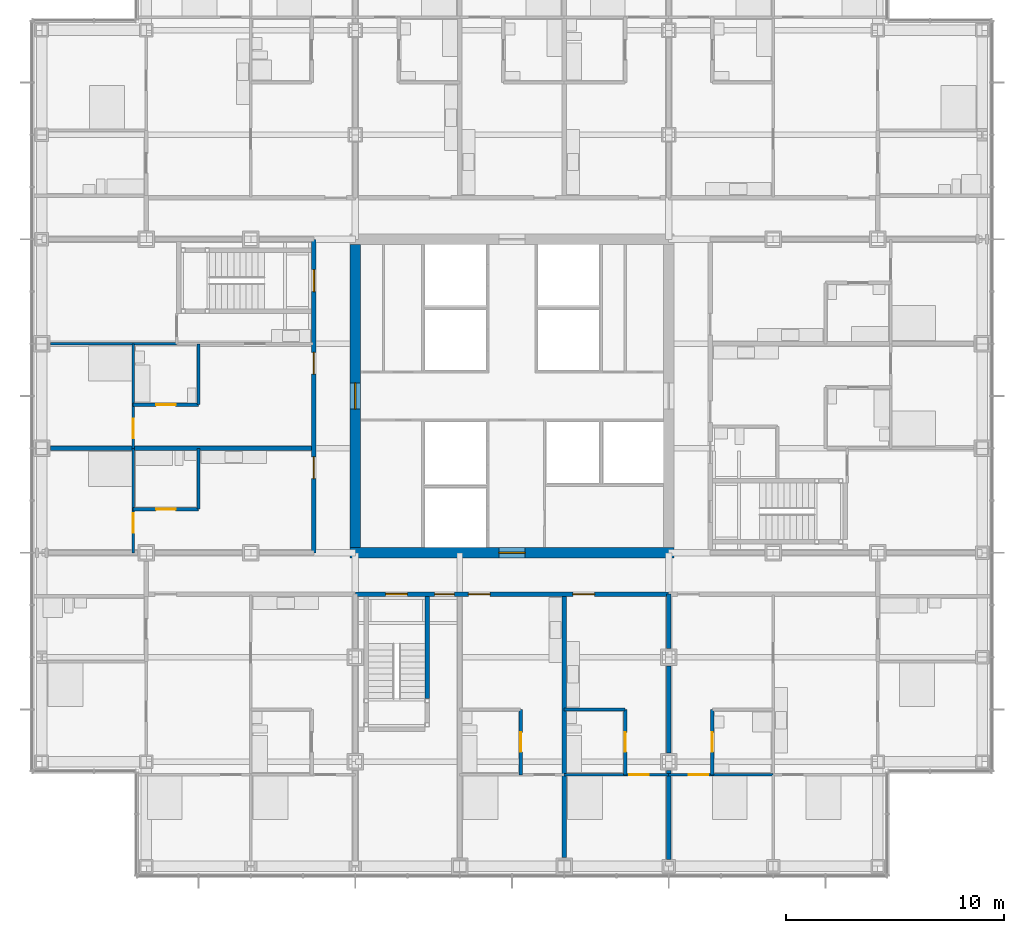
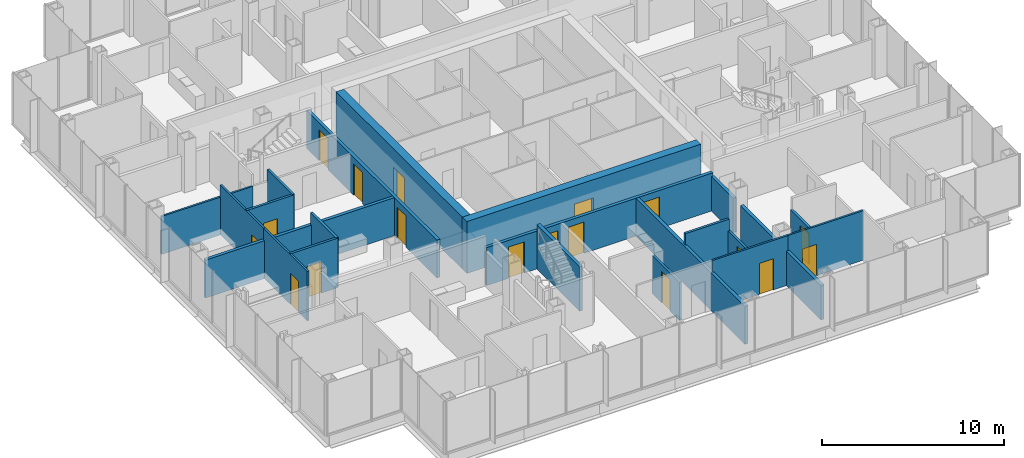
# One storey, part 14 of 21: 23 walls, 18 doors, 18 openings.
"""IFC4 building model written with IfcOpenShell, lengths in metres."""

from ifc_helpers import new_model, si_unit, direction, frame, frame_2d, origin, place, context, subcontext, project, spatial, rectangle, extrude, material, layer, layer_set, type_object, element, fill, save


model = new_model("IFC4")

# Units and contexts
model_context = context("Model", 3, precision=1e-05, world=origin(), true_north=direction((0.0, 1.0)))
body_context = subcontext(model_context, "Body", "Model", "MODEL_VIEW")
ifc_project = project(units=[si_unit("LENGTHUNIT", "METRE"), si_unit("AREAUNIT", "SQUARE_METRE"), si_unit("VOLUMEUNIT", "CUBIC_METRE"), si_unit("PLANEANGLEUNIT", "RADIAN"), si_unit("MASSUNIT", "GRAM", prefix="KILO")], contexts=[model_context])

# Site, building, storey
site_placement = place(None, origin())
site = spatial("IfcSite", under=ifc_project, at=site_placement, CompositionType="ELEMENT")
building_placement = place(site_placement, origin())
building = spatial("IfcBuilding", under=site, at=building_placement, Name="Kvirike Care Tower", CompositionType="ELEMENT")
storey_placement = place(building_placement, frame((0.0, 0.0, 48.0)))
storey = spatial("IfcBuildingStorey", under=building, at=storey_placement, Name="L12", CompositionType="ELEMENT", Elevation=48.0)

# Wall, opening, door
ifc_material_1 = material(Name="Moisture-resistant board partition", Category="gypsum")
ifc_layer_1 = layer(ifc_material_1, 0.14990234375)
ifc_layer_set_1 = layer_set([ifc_layer_1], Name="BATHROOM WALL 150")
wall_type_1 = type_object("IfcWallType", Name="BATHROOM WALL 150", PredefinedType="PARTITIONING", material=ifc_layer_set_1)
wall_1_placement = place(storey_placement, frame((4.199951171875, 35.60009765625, 0.0), z_axis=(0.0, 0.0, 1.0), x_axis=(1.0, 0.0, 0.0)))
wall_1 = element("IfcWall", 1, at=wall_1_placement, inside=storey, type_object=wall_type_1, Name="Bathroom Wall 150 L12", PredefinedType="PARTITIONING", context=body_context, shape_type="SweptSolid", body=[
    extrude(rectangle(XDim=3.0, YDim=0.14990234375, at=frame_2d((1.5, 0.0))), origin(), (0.0, 0.0, 1.0), 3.330078125),
])
opening_1_placement = place(wall_1_placement, frame((1.050048828125, 0.0, 0.0)))
opening_1 = element("IfcOpeningElement", 2, at=opening_1_placement, cuts=wall_1, Name="Opening 12-008", PredefinedType="OPENING", context=body_context, shape_type="SweptSolid", body=[
    extrude(rectangle(XDim=0.89990234375, YDim=2.10009765625, at=frame_2d((0.449951171875, 1.050048828125))), frame((0.0, 0.08544921875, 0.0), z_axis=(0.0, -1.0, 0.0), x_axis=(1.0, 0.0, 0.0)), (0.0, 0.0, 1.0), 0.1708984375),
])
ifc_material_2 = material(Name="Timber door set", Category="wood")
door_type_1 = type_object("IfcDoorType", Name="BATHROOM DOOR 900", OperationType="SINGLE_SWING_RIGHT", PredefinedType="DOOR", material=ifc_material_2)
door_1_placement = place(opening_1_placement, origin())
door_1 = element("IfcDoor", 3, at=door_1_placement, inside=storey, type_object=door_type_1, Name="Bathroom door", OperationType="SINGLE_SWING_LEFT", OverallHeight=2.10009765625, OverallWidth=0.89990234375, PredefinedType="DOOR", context=body_context, shape_type="SweptSolid", body=[
    extrude(rectangle(XDim=0.89990234375, YDim=2.10009765625, at=frame_2d((0.449951171875, 1.050048828125))), frame((0.0, 0.02197265625, 0.0), z_axis=(0.0, -1.0, 0.0), x_axis=(1.0, 0.0, 0.0)), (0.0, 0.0, 1.0), 0.0439453125),
])
fill(opening_1, door_1)

# Wall
wall_2_placement = place(storey_placement, frame((7.199951171875, 38.39990234375, 0.0), z_axis=(0.0, 0.0, 1.0), x_axis=(0.0, -1.0, 0.0)))
element("IfcWall", 4, at=wall_2_placement, inside=storey, type_object=wall_type_1, Name="Bathroom Wall 150 L12", PredefinedType="PARTITIONING", context=body_context, shape_type="SweptSolid", body=[
    extrude(rectangle(XDim=2.7998046875, YDim=0.14990234375, at=frame_2d((1.39990234375, 0.0))), origin(), (0.0, 0.0, 1.0), 3.330078125),
])

# Wall, opening, door
wall_3_placement = place(storey_placement, frame((4.199951171875, 30.800048828125, 0.0), z_axis=(0.0, 0.0, 1.0), x_axis=(1.0, 0.0, 0.0)))
wall_3 = element("IfcWall", 5, at=wall_3_placement, inside=storey, type_object=wall_type_1, Name="Bathroom Wall 150 L12", PredefinedType="PARTITIONING", context=body_context, shape_type="SweptSolid", body=[
    extrude(rectangle(XDim=3.0, YDim=0.14990234375, at=frame_2d((1.5, 0.0))), origin(), (0.0, 0.0, 1.0), 3.330078125),
])
opening_2_placement = place(wall_3_placement, frame((1.050048828125, 0.0, 0.0)))
opening_2 = element("IfcOpeningElement", 6, at=opening_2_placement, cuts=wall_3, Name="Opening 12-012", PredefinedType="OPENING", context=body_context, shape_type="SweptSolid", body=[
    extrude(rectangle(XDim=0.89990234375, YDim=2.10009765625, at=frame_2d((0.449951171875, 1.050048828125))), frame((0.0, 0.08544921875, 0.0), z_axis=(0.0, -1.0, 0.0), x_axis=(1.0, 0.0, 0.0)), (0.0, 0.0, 1.0), 0.1708984375),
])
door_2_placement = place(opening_2_placement, origin())
door_2 = element("IfcDoor", 7, at=door_2_placement, inside=storey, type_object=door_type_1, Name="Bathroom door", OperationType="SINGLE_SWING_LEFT", OverallHeight=2.10009765625, OverallWidth=0.89990234375, PredefinedType="DOOR", context=body_context, shape_type="SweptSolid", body=[
    extrude(rectangle(XDim=0.89990234375, YDim=2.10009765625, at=frame_2d((0.449951171875, 1.050048828125))), frame((0.0, 0.02197265625, 0.0), z_axis=(0.0, -1.0, 0.0), x_axis=(1.0, 0.0, 0.0)), (0.0, 0.0, 1.0), 0.0439453125),
])
fill(opening_2, door_2)

# Wall
wall_4_placement = place(storey_placement, frame((7.199951171875, 33.60009765625, 0.0), z_axis=(0.0, 0.0, 1.0), x_axis=(0.0, -1.0, 0.0)))
element("IfcWall", 8, at=wall_4_placement, inside=storey, type_object=wall_type_1, Name="Bathroom Wall 150 L12", PredefinedType="PARTITIONING", context=body_context, shape_type="SweptSolid", body=[
    extrude(rectangle(XDim=2.800048828125, YDim=0.14990234375, at=frame_2d((1.39990234375, 0.0))), origin(), (0.0, 0.0, 1.0), 3.330078125),
])

# Wall, opening, door
wall_5_placement = place(storey_placement, frame((22.0, 18.60009765625, 0.0), z_axis=(0.0, 0.0, 1.0), x_axis=(0.0, 1.0, 0.0)))
wall_5 = element("IfcWall", 9, at=wall_5_placement, inside=storey, type_object=wall_type_1, Name="Bathroom Wall 150 L12", PredefinedType="PARTITIONING", context=body_context, shape_type="SweptSolid", body=[
    extrude(rectangle(XDim=3.0, YDim=0.14990234375, at=frame_2d((1.5, 0.0))), origin(), (0.0, 0.0, 1.0), 2.550048828125),
])
opening_3_placement = place(wall_5_placement, frame((1.050048828125, 0.0, 0.0)))
opening_3 = element("IfcOpeningElement", 10, at=opening_3_placement, cuts=wall_5, Name="Opening 12-024", PredefinedType="OPENING", context=body_context, shape_type="SweptSolid", body=[
    extrude(rectangle(XDim=0.89990234375, YDim=2.10009765625, at=frame_2d((0.449951171875, 1.050048828125))), frame((0.0, 0.08544921875, 0.0), z_axis=(0.0, -1.0, 0.0), x_axis=(1.0, 0.0, 0.0)), (0.0, 0.0, 1.0), 0.1708984375),
])
door_3_placement = place(opening_3_placement, origin())
door_3 = element("IfcDoor", 11, at=door_3_placement, inside=storey, type_object=door_type_1, Name="Bathroom door", OperationType="SINGLE_SWING_RIGHT", OverallHeight=2.10009765625, OverallWidth=0.89990234375, PredefinedType="DOOR", context=body_context, shape_type="SweptSolid", body=[
    extrude(rectangle(XDim=0.89990234375, YDim=2.10009765625, at=frame_2d((0.449951171875, 1.050048828125))), frame((0.0, 0.02197265625, 0.0), z_axis=(0.0, -1.0, 0.0), x_axis=(1.0, 0.0, 0.0)), (0.0, 0.0, 1.0), 0.0439453125),
])
fill(opening_3, door_3)

wall_6_placement = place(storey_placement, frame((26.800048828125, 18.60009765625, 0.0), z_axis=(0.0, 0.0, 1.0), x_axis=(0.0, 1.0, 0.0)))
wall_6 = element("IfcWall", 12, at=wall_6_placement, inside=storey, type_object=wall_type_1, Name="Bathroom Wall 150 L12", PredefinedType="PARTITIONING", context=body_context, shape_type="SweptSolid", body=[
    extrude(rectangle(XDim=3.0, YDim=0.14990234375, at=frame_2d((1.5, 0.0))), origin(), (0.0, 0.0, 1.0), 2.550048828125),
])
opening_4_placement = place(wall_6_placement, frame((1.050048828125, 0.0, 0.0)))
opening_4 = element("IfcOpeningElement", 13, at=opening_4_placement, cuts=wall_6, Name="Opening 12-026", PredefinedType="OPENING", context=body_context, shape_type="SweptSolid", body=[
    extrude(rectangle(XDim=0.89990234375, YDim=2.10009765625, at=frame_2d((0.449951171875, 1.050048828125))), frame((0.0, 0.08544921875, 0.0), z_axis=(0.0, -1.0, 0.0), x_axis=(1.0, 0.0, 0.0)), (0.0, 0.0, 1.0), 0.1708984375),
])
door_4_placement = place(opening_4_placement, origin())
door_4 = element("IfcDoor", 14, at=door_4_placement, inside=storey, type_object=door_type_1, Name="Bathroom door", OperationType="SINGLE_SWING_LEFT", OverallHeight=2.10009765625, OverallWidth=0.89990234375, PredefinedType="DOOR", context=body_context, shape_type="SweptSolid", body=[
    extrude(rectangle(XDim=0.89990234375, YDim=2.10009765625, at=frame_2d((0.449951171875, 1.050048828125))), frame((0.0, 0.02197265625, 0.0), z_axis=(0.0, -1.0, 0.0), x_axis=(1.0, 0.0, 0.0)), (0.0, 0.0, 1.0), 0.0439453125),
])
fill(opening_4, door_4)

# Wall
wall_7_placement = place(storey_placement, frame((24.0, 21.60009765625, 0.0), z_axis=(0.0, 0.0, 1.0), x_axis=(1.0, 0.0, 0.0)))
element("IfcWall", 15, at=wall_7_placement, inside=storey, type_object=wall_type_1, Name="Bathroom Wall 150 L12", PredefinedType="PARTITIONING", context=body_context, shape_type="SweptSolid", body=[
    extrude(rectangle(XDim=2.800048828125, YDim=0.14990234375, at=frame_2d((1.39990234375, 0.0))), origin(), (0.0, 0.0, 1.0), 3.330078125),
])

# Wall, opening, door
wall_8_placement = place(storey_placement, frame((30.800048828125, 18.60009765625, 0.0), z_axis=(0.0, 0.0, 1.0), x_axis=(0.0, 1.0, 0.0)))
wall_8 = element("IfcWall", 16, at=wall_8_placement, inside=storey, type_object=wall_type_1, Name="Bathroom Wall 150 L12", PredefinedType="PARTITIONING", context=body_context, shape_type="SweptSolid", body=[
    extrude(rectangle(XDim=3.0, YDim=0.14990234375, at=frame_2d((1.5, 0.0))), origin(), (0.0, 0.0, 1.0), 2.550048828125),
])
opening_5_placement = place(wall_8_placement, frame((1.050048828125, 0.0, 0.0)))
opening_5 = element("IfcOpeningElement", 17, at=opening_5_placement, cuts=wall_8, Name="Opening 12-041", PredefinedType="OPENING", context=body_context, shape_type="SweptSolid", body=[
    extrude(rectangle(XDim=0.89990234375, YDim=2.10009765625, at=frame_2d((0.449951171875, 1.050048828125))), frame((0.0, 0.08544921875, 0.0), z_axis=(0.0, -1.0, 0.0), x_axis=(1.0, 0.0, 0.0)), (0.0, 0.0, 1.0), 0.1708984375),
])
door_5_placement = place(opening_5_placement, frame((0.89990234375, 0.0, 0.0), z_axis=(0.0, 0.0, 1.0), x_axis=(-1.0, 0.0, 0.0)))
door_5 = element("IfcDoor", 18, at=door_5_placement, inside=storey, type_object=door_type_1, Name="Shower room door", OperationType="SINGLE_SWING_RIGHT", OverallHeight=2.10009765625, OverallWidth=0.89990234375, PredefinedType="DOOR", context=body_context, shape_type="SweptSolid", body=[
    extrude(rectangle(XDim=0.89990234375, YDim=2.10009765625, at=frame_2d((0.449951171875, 1.050048828125))), frame((0.0, 0.02197265625, 0.0), z_axis=(0.0, -1.0, 0.0), x_axis=(1.0, 0.0, 0.0)), (0.0, 0.0, 1.0), 0.0439453125),
])
fill(opening_5, door_5)

ifc_material_3 = material(Name="Concrete C60/75", Category="concrete")
ifc_layer_2 = layer(ifc_material_3, 0.5)
ifc_layer_set_2 = layer_set([ifc_layer_2], Name="CORE WALL 500 C60-75")
wall_type_2 = type_object("IfcWallType", Name="CORE WALL 500 C60-75", PredefinedType="SHEAR", material=ifc_layer_set_2)
wall_9_placement = place(storey_placement, frame((14.14990234375, 28.800048828125, -0.169921875), z_axis=(0.0, 0.0, 1.0), x_axis=(1.0, 0.0, 0.0)))
wall_9 = element("IfcWall", 19, at=wall_9_placement, inside=storey, type_object=wall_type_2, Name="Core wall S L12", PredefinedType="SHEAR", context=body_context, shape_type="SweptSolid", body=[
    extrude(rectangle(XDim=14.900146484375, YDim=0.5, at=frame_2d((7.4501953125, 0.0))), origin(), (0.0, 0.0, 1.0), 3.5),
])
opening_6_placement = place(wall_9_placement, frame((6.85009765625, 0.0, 0.169921875)))
opening_6 = element("IfcOpeningElement", 20, at=opening_6_placement, cuts=wall_9, Name="Opening 12-075", PredefinedType="OPENING", context=body_context, shape_type="SweptSolid", body=[
    extrude(rectangle(XDim=1.199951171875, YDim=2.10009765625, at=frame_2d((0.60009765625, 1.050048828125))), frame((0.0, 0.260498046875, 0.0), z_axis=(0.0, -1.0, 0.0), x_axis=(1.0, 0.0, 0.0)), (0.0, 0.0, 1.0), 0.52099609375),
])
ifc_material_4 = material(Name="Timber door set", Category="wood")
door_type_2 = type_object("IfcDoorType", Name="CORE DOOR 1200", OperationType="SINGLE_SWING_LEFT", PredefinedType="DOOR", material=ifc_material_4)
door_6_placement = place(opening_6_placement, origin())
door_6 = element("IfcDoor", 21, at=door_6_placement, inside=storey, type_object=door_type_2, Name="Core door S L12", OperationType="SINGLE_SWING_LEFT", OverallHeight=2.10009765625, OverallWidth=1.199951171875, PredefinedType="DOOR", context=body_context, shape_type="SweptSolid", body=[
    extrude(rectangle(XDim=1.199951171875, YDim=2.10009765625, at=frame_2d((0.60009765625, 1.050048828125))), frame((0.0, 0.02685546875, 0.0), z_axis=(0.0, -1.0, 0.0), x_axis=(1.0, 0.0, 0.0)), (0.0, 0.0, 1.0), 0.053955078125),
])
fill(opening_6, door_6)

wall_10_placement = place(storey_placement, frame((14.39990234375, 42.949951171875, -0.169921875), z_axis=(0.0, 0.0, 1.0), x_axis=(0.0, -1.0, 0.0)))
wall_10 = element("IfcWall", 22, at=wall_10_placement, inside=storey, type_object=wall_type_2, Name="Core wall W L12", PredefinedType="SHEAR", context=body_context, shape_type="SweptSolid", body=[
    extrude(rectangle(XDim=13.89990234375, YDim=0.5, at=frame_2d((6.949951171875, 0.0))), origin(), (0.0, 0.0, 1.0), 3.5),
])
opening_7_placement = place(wall_10_placement, frame((6.35009765625, 0.0, 0.169921875)))
opening_7 = element("IfcOpeningElement", 23, at=opening_7_placement, cuts=wall_10, Name="Opening 12-076", PredefinedType="OPENING", context=body_context, shape_type="SweptSolid", body=[
    extrude(rectangle(XDim=1.199951171875, YDim=2.10009765625, at=frame_2d((0.60009765625, 1.050048828125))), frame((0.0, 0.260498046875, 0.0), z_axis=(0.0, -1.0, 0.0), x_axis=(1.0, 0.0, 0.0)), (0.0, 0.0, 1.0), 0.52099609375),
])
door_7_placement = place(opening_7_placement, origin())
door_7 = element("IfcDoor", 24, at=door_7_placement, inside=storey, type_object=door_type_2, Name="Core door W L12", OperationType="SINGLE_SWING_LEFT", OverallHeight=2.10009765625, OverallWidth=1.199951171875, PredefinedType="DOOR", context=body_context, shape_type="SweptSolid", body=[
    extrude(rectangle(XDim=1.199951171875, YDim=2.10009765625, at=frame_2d((0.60009765625, 1.050048828125))), frame((0.0, 0.02685546875, 0.0), z_axis=(0.0, -1.0, 0.0), x_axis=(1.0, 0.0, 0.0)), (0.0, 0.0, 1.0), 0.053955078125),
])
fill(opening_7, door_7)

# Wall, openings, doors
ifc_material_5 = material(Name="Plasterboard corridor wall", Category="gypsum")
ifc_layer_3 = layer(ifc_material_5, 0.199951171875)
ifc_layer_set_3 = layer_set([ifc_layer_3], Name="CORRIDOR WALL 200")
wall_type_3 = type_object("IfcWallType", Name="CORRIDOR WALL 200", PredefinedType="PARTITIONING", material=ifc_layer_set_3)
wall_11_placement = place(storey_placement, frame((12.5, 43.199951171875, 0.0), z_axis=(0.0, 0.0, 1.0), x_axis=(0.0, -1.0, 0.0)))
wall_11 = element("IfcWall", 25, at=wall_11_placement, inside=storey, type_object=wall_type_3, Name="Corridor Wall 200 L12", PredefinedType="PARTITIONING", context=body_context, shape_type="SweptSolid", body=[
    extrude(rectangle(XDim=14.39990234375, YDim=0.199951171875, at=frame_2d((7.199951171875, 0.0))), origin(), (0.0, 0.0, 1.0), 2.550048828125),
])
opening_8_placement = place(wall_11_placement, frame((1.39990234375, 0.0, 0.0)))
opening_8 = element("IfcOpeningElement", 26, at=opening_8_placement, cuts=wall_11, Name="Opening 12-014", PredefinedType="OPENING", context=body_context, shape_type="SweptSolid", body=[
    extrude(rectangle(XDim=1.0, YDim=2.10009765625, at=frame_2d((0.5, 1.050048828125))), frame((0.0, 0.110595703125, 0.0), z_axis=(0.0, -1.0, 0.0), x_axis=(1.0, 0.0, 0.0)), (0.0, 0.0, 1.0), 0.220947265625),
])
opening_9_placement = place(wall_11_placement, frame((5.199951171875, 0.0, 0.0)))
opening_9 = element("IfcOpeningElement", 27, at=opening_9_placement, cuts=wall_11, Name="Opening 12-015", PredefinedType="OPENING", context=body_context, shape_type="SweptSolid", body=[
    extrude(rectangle(XDim=1.0, YDim=2.10009765625, at=frame_2d((0.5, 1.050048828125))), frame((0.0, 0.110595703125, 0.0), z_axis=(0.0, -1.0, 0.0), x_axis=(1.0, 0.0, 0.0)), (0.0, 0.0, 1.0), 0.220947265625),
])
opening_10_placement = place(wall_11_placement, frame((10.0, 0.0, 0.0)))
opening_10 = element("IfcOpeningElement", 28, at=opening_10_placement, cuts=wall_11, Name="Opening 12-016", PredefinedType="OPENING", context=body_context, shape_type="SweptSolid", body=[
    extrude(rectangle(XDim=1.0, YDim=2.10009765625, at=frame_2d((0.5, 1.050048828125))), frame((0.0, 0.110595703125, 0.0), z_axis=(0.0, -1.0, 0.0), x_axis=(1.0, 0.0, 0.0)), (0.0, 0.0, 1.0), 0.220947265625),
])
ifc_material_6 = material(Name="Timber door set", Category="wood")
door_type_3 = type_object("IfcDoorType", Name="FLAT ENTRANCE DOOR 1000", OperationType="SINGLE_SWING_LEFT", PredefinedType="DOOR", material=ifc_material_6)
door_8_placement = place(opening_9_placement, frame((1.0, 0.0, 0.0), z_axis=(0.0, 0.0, 1.0), x_axis=(-1.0, 0.0, 0.0)))
door_8 = element("IfcDoor", 29, at=door_8_placement, inside=storey, type_object=door_type_3, Name="One-bedroom apartment entrance", OperationType="SINGLE_SWING_LEFT", OverallHeight=2.10009765625, OverallWidth=1.0, PredefinedType="DOOR", context=body_context, shape_type="SweptSolid", body=[
    extrude(rectangle(XDim=1.0, YDim=2.10009765625, at=frame_2d((0.5, 1.050048828125))), frame((0.0, 0.02685546875, 0.0), z_axis=(0.0, -1.0, 0.0), x_axis=(1.0, 0.0, 0.0)), (0.0, 0.0, 1.0), 0.053955078125),
])
fill(opening_9, door_8)
door_9_placement = place(opening_10_placement, frame((1.0, 0.0, 0.0), z_axis=(0.0, 0.0, 1.0), x_axis=(-1.0, 0.0, 0.0)))
door_9 = element("IfcDoor", 30, at=door_9_placement, inside=storey, type_object=door_type_3, Name="Studio apartment entrance", OperationType="SINGLE_SWING_LEFT", OverallHeight=2.10009765625, OverallWidth=1.0, PredefinedType="DOOR", context=body_context, shape_type="SweptSolid", body=[
    extrude(rectangle(XDim=1.0, YDim=2.10009765625, at=frame_2d((0.5, 1.050048828125))), frame((0.0, 0.02685546875, 0.0), z_axis=(0.0, -1.0, 0.0), x_axis=(1.0, 0.0, 0.0)), (0.0, 0.0, 1.0), 0.053955078125),
])
fill(opening_10, door_9)
ifc_material_7 = material(Name="Timber door set", Category="wood")
door_type_4 = type_object("IfcDoorType", Name="STAIR DOOR 1000", OperationType="SINGLE_SWING_LEFT", PredefinedType="DOOR", material=ifc_material_7)
door_10_placement = place(opening_8_placement, frame((1.0, 0.0, 0.0), z_axis=(0.0, 0.0, 1.0), x_axis=(-1.0, 0.0, 0.0)))
door_10 = element("IfcDoor", 31, at=door_10_placement, inside=storey, type_object=door_type_4, Name="Stair 1 door", OperationType="SINGLE_SWING_LEFT", OverallHeight=2.10009765625, OverallWidth=1.0, PredefinedType="DOOR", context=body_context, shape_type="SweptSolid", body=[
    extrude(rectangle(XDim=1.0, YDim=2.10009765625, at=frame_2d((0.5, 1.050048828125))), frame((0.0, 0.031982421875, 0.0), z_axis=(0.0, -1.0, 0.0), x_axis=(1.0, 0.0, 0.0)), (0.0, 0.0, 1.0), 0.06396484375),
])
fill(opening_8, door_10)

wall_12_placement = place(storey_placement, frame((14.39990234375, 26.89990234375, 0.0), z_axis=(0.0, 0.0, 1.0), x_axis=(1.0, 0.0, 0.0)))
wall_12 = element("IfcWall", 32, at=wall_12_placement, inside=storey, type_object=wall_type_3, Name="Corridor Wall 200 L12", PredefinedType="PARTITIONING", context=body_context, shape_type="SweptSolid", body=[
    extrude(rectangle(XDim=14.400146484375, YDim=0.199951171875, at=frame_2d((7.2001953125, 0.0))), origin(), (0.0, 0.0, 1.0), 2.550048828125),
])
opening_11_placement = place(wall_12_placement, frame((1.39990234375, 0.0, 0.0)))
opening_11 = element("IfcOpeningElement", 33, at=opening_11_placement, cuts=wall_12, Name="Opening 12-028", PredefinedType="OPENING", context=body_context, shape_type="SweptSolid", body=[
    extrude(rectangle(XDim=1.0, YDim=2.10009765625, at=frame_2d((0.5, 1.050048828125))), frame((0.0, 0.110595703125, 0.0), z_axis=(0.0, -1.0, 0.0), x_axis=(1.0, 0.0, 0.0)), (0.0, 0.0, 1.0), 0.220947265625),
])
opening_12_placement = place(wall_12_placement, frame((3.64990234375, 0.0, 0.0)))
opening_12 = element("IfcOpeningElement", 34, at=opening_12_placement, cuts=wall_12, Name="Opening 12-029", PredefinedType="OPENING", context=body_context, shape_type="SweptSolid", body=[
    extrude(rectangle(XDim=0.89990234375, YDim=2.10009765625, at=frame_2d((0.449951171875, 1.050048828125))), frame((0.0, 0.110595703125, 0.0), z_axis=(0.0, -1.0, 0.0), x_axis=(1.0, 0.0, 0.0)), (0.0, 0.0, 1.0), 0.220947265625),
])
opening_13_placement = place(wall_12_placement, frame((5.199951171875, 0.0, 0.0)))
opening_13 = element("IfcOpeningElement", 35, at=opening_13_placement, cuts=wall_12, Name="Opening 12-030", PredefinedType="OPENING", context=body_context, shape_type="SweptSolid", body=[
    extrude(rectangle(XDim=1.0, YDim=2.10009765625, at=frame_2d((0.5, 1.050048828125))), frame((0.0, 0.110595703125, 0.0), z_axis=(0.0, -1.0, 0.0), x_axis=(1.0, 0.0, 0.0)), (0.0, 0.0, 1.0), 0.220947265625),
])
opening_14_placement = place(wall_12_placement, frame((10.0, 0.0, 0.0)))
opening_14 = element("IfcOpeningElement", 36, at=opening_14_placement, cuts=wall_12, Name="Opening 12-031", PredefinedType="OPENING", context=body_context, shape_type="SweptSolid", body=[
    extrude(rectangle(XDim=1.0, YDim=2.10009765625, at=frame_2d((0.5, 1.050048828125))), frame((0.0, 0.110595703125, 0.0), z_axis=(0.0, -1.0, 0.0), x_axis=(1.0, 0.0, 0.0)), (0.0, 0.0, 1.0), 0.220947265625),
])
door_11_placement = place(opening_13_placement, frame((1.0, 0.0, 0.0), z_axis=(0.0, 0.0, 1.0), x_axis=(-1.0, 0.0, 0.0)))
door_11 = element("IfcDoor", 37, at=door_11_placement, inside=storey, type_object=door_type_3, Name="Studio apartment entrance", OperationType="SINGLE_SWING_LEFT", OverallHeight=2.10009765625, OverallWidth=1.0, PredefinedType="DOOR", context=body_context, shape_type="SweptSolid", body=[
    extrude(rectangle(XDim=1.0, YDim=2.10009765625, at=frame_2d((0.5, 1.050048828125))), frame((0.0, 0.02685546875, 0.0), z_axis=(0.0, -1.0, 0.0), x_axis=(1.0, 0.0, 0.0)), (0.0, 0.0, 1.0), 0.053955078125),
])
fill(opening_13, door_11)
door_12_placement = place(opening_14_placement, frame((1.0, 0.0, 0.0), z_axis=(0.0, 0.0, 1.0), x_axis=(-1.0, 0.0, 0.0)))
door_12 = element("IfcDoor", 38, at=door_12_placement, inside=storey, type_object=door_type_3, Name="Studio apartment entrance", OperationType="SINGLE_SWING_LEFT", OverallHeight=2.10009765625, OverallWidth=1.0, PredefinedType="DOOR", context=body_context, shape_type="SweptSolid", body=[
    extrude(rectangle(XDim=1.0, YDim=2.10009765625, at=frame_2d((0.5, 1.050048828125))), frame((0.0, 0.02685546875, 0.0), z_axis=(0.0, -1.0, 0.0), x_axis=(1.0, 0.0, 0.0)), (0.0, 0.0, 1.0), 0.053955078125),
])
fill(opening_14, door_12)
door_13_placement = place(opening_11_placement, frame((1.0, 0.0, 0.0), z_axis=(0.0, 0.0, 1.0), x_axis=(-1.0, 0.0, 0.0)))
door_13 = element("IfcDoor", 39, at=door_13_placement, inside=storey, type_object=door_type_4, Name="Stair 5 door", OperationType="SINGLE_SWING_LEFT", OverallHeight=2.10009765625, OverallWidth=1.0, PredefinedType="DOOR", context=body_context, shape_type="SweptSolid", body=[
    extrude(rectangle(XDim=1.0, YDim=2.10009765625, at=frame_2d((0.5, 1.050048828125))), frame((0.0, 0.031982421875, 0.0), z_axis=(0.0, -1.0, 0.0), x_axis=(1.0, 0.0, 0.0)), (0.0, 0.0, 1.0), 0.06396484375),
])
fill(opening_11, door_13)
ifc_material_8 = material(Name="Timber door set", Category="wood")
door_type_5 = type_object("IfcDoorType", Name="STORE DOOR 900", OperationType="SINGLE_SWING_LEFT", PredefinedType="DOOR", material=ifc_material_8)
door_14_placement = place(opening_12_placement, frame((0.89990234375, 0.0, 0.0), z_axis=(0.0, 0.0, 1.0), x_axis=(-1.0, 0.0, 0.0)))
door_14 = element("IfcDoor", 40, at=door_14_placement, inside=storey, type_object=door_type_5, Name="Housekeeping room door", OperationType="SINGLE_SWING_LEFT", OverallHeight=2.10009765625, OverallWidth=0.89990234375, PredefinedType="DOOR", context=body_context, shape_type="SweptSolid", body=[
    extrude(rectangle(XDim=0.89990234375, YDim=2.10009765625, at=frame_2d((0.449951171875, 1.050048828125))), frame((0.0, 0.02685546875, 0.0), z_axis=(0.0, -1.0, 0.0), x_axis=(1.0, 0.0, 0.0)), (0.0, 0.0, 1.0), 0.053955078125),
])
fill(opening_12, door_14)

# Wall, opening, door
ifc_material_9 = material(Name="Plasterboard partition", Category="gypsum")
ifc_layer_4 = layer(ifc_material_9, 0.1201171875)
ifc_layer_set_4 = layer_set([ifc_layer_4], Name="PARTITION 120")
wall_type_4 = type_object("IfcWallType", Name="PARTITION 120", PredefinedType="PARTITIONING", material=ifc_layer_set_4)
wall_13_placement = place(storey_placement, frame((4.199951171875, 38.39990234375, 0.0), z_axis=(0.0, 0.0, 1.0), x_axis=(0.0, -1.0, 0.0)))
wall_13 = element("IfcWall", 41, at=wall_13_placement, inside=storey, type_object=wall_type_4, Name="Partition 120 L12", PredefinedType="PARTITIONING", context=body_context, shape_type="SweptSolid", body=[
    extrude(rectangle(XDim=4.7998046875, YDim=0.1201171875, at=frame_2d((2.39990234375, 0.0))), origin(), (0.0, 0.0, 1.0), 3.330078125),
])
opening_15_placement = place(wall_13_placement, frame((3.449951171875, 0.0, 0.0)))
opening_15 = element("IfcOpeningElement", 42, at=opening_15_placement, cuts=wall_13, Name="Opening 12-011", PredefinedType="OPENING", context=body_context, shape_type="SweptSolid", body=[
    extrude(rectangle(XDim=0.89990234375, YDim=2.10009765625, at=frame_2d((0.449951171875, 1.050048828125))), frame((0.0, 0.070556640625, 0.0), z_axis=(0.0, -1.0, 0.0), x_axis=(1.0, 0.0, 0.0)), (0.0, 0.0, 1.0), 0.14111328125),
])
ifc_material_10 = material(Name="Timber door set", Category="wood")
door_type_6 = type_object("IfcDoorType", Name="INTERNAL DOOR 900", OperationType="SINGLE_SWING_LEFT", PredefinedType="DOOR", material=ifc_material_10)
door_15_placement = place(opening_15_placement, frame((0.89990234375, 0.0, 0.0), z_axis=(0.0, 0.0, 1.0), x_axis=(-1.0, 0.0, 0.0)))
door_15 = element("IfcDoor", 43, at=door_15_placement, inside=storey, type_object=door_type_6, Name="Apartment bedroom door", OperationType="SINGLE_SWING_RIGHT", OverallHeight=2.10009765625, OverallWidth=0.89990234375, PredefinedType="DOOR", context=body_context, shape_type="SweptSolid", body=[
    extrude(rectangle(XDim=0.89990234375, YDim=2.10009765625, at=frame_2d((0.449951171875, 1.050048828125))), frame((0.0, 0.02197265625, 0.0), z_axis=(0.0, -1.0, 0.0), x_axis=(1.0, 0.0, 0.0)), (0.0, 0.0, 1.0), 0.0439453125),
])
fill(opening_15, door_15)

# Wall
wall_14_placement = place(storey_placement, frame((0.39501953125, 38.39990234375, 0.0), z_axis=(0.0, 0.0, 1.0), x_axis=(1.0, 0.0, 0.0)))
element("IfcWall", 44, at=wall_14_placement, inside=storey, type_object=wall_type_4, Name="Partition 120 L12", PredefinedType="PARTITIONING", context=body_context, shape_type="SweptSolid", body=[
    extrude(rectangle(XDim=5.804931640625, YDim=0.1201171875, at=frame_2d((2.90234375, 0.0))), origin(), (0.0, 0.0, 1.0), 2.550048828125),
])

# Wall, opening, door
wall_15_placement = place(storey_placement, frame((4.199951171875, 33.60009765625, 0.0), z_axis=(0.0, 0.0, 1.0), x_axis=(0.0, -1.0, 0.0)))
wall_15 = element("IfcWall", 45, at=wall_15_placement, inside=storey, type_object=wall_type_4, Name="Partition 120 L12", PredefinedType="PARTITIONING", context=body_context, shape_type="SweptSolid", body=[
    extrude(rectangle(XDim=4.800048828125, YDim=0.1201171875, at=frame_2d((2.39990234375, 0.0))), origin(), (0.0, 0.0, 1.0), 3.330078125),
])
opening_16_placement = place(wall_15_placement, frame((2.97509765625, 0.0, 0.0)))
opening_16 = element("IfcOpeningElement", 46, at=opening_16_placement, cuts=wall_15, Name="Opening 12-013", PredefinedType="OPENING", context=body_context, shape_type="SweptSolid", body=[
    extrude(rectangle(XDim=0.89990234375, YDim=2.10009765625, at=frame_2d((0.449951171875, 1.050048828125))), frame((0.0, 0.070556640625, 0.0), z_axis=(0.0, -1.0, 0.0), x_axis=(1.0, 0.0, 0.0)), (0.0, 0.0, 1.0), 0.14111328125),
])
door_16_placement = place(opening_16_placement, frame((0.89990234375, 0.0, 0.0), z_axis=(0.0, 0.0, 1.0), x_axis=(-1.0, 0.0, 0.0)))
door_16 = element("IfcDoor", 47, at=door_16_placement, inside=storey, type_object=door_type_6, Name="Studio apartment living room door", OperationType="SINGLE_SWING_RIGHT", OverallHeight=2.10009765625, OverallWidth=0.89990234375, PredefinedType="DOOR", context=body_context, shape_type="SweptSolid", body=[
    extrude(rectangle(XDim=0.89990234375, YDim=2.10009765625, at=frame_2d((0.449951171875, 1.050048828125))), frame((0.0, 0.02197265625, 0.0), z_axis=(0.0, -1.0, 0.0), x_axis=(1.0, 0.0, 0.0)), (0.0, 0.0, 1.0), 0.0439453125),
])
fill(opening_16, door_16)

wall_16_placement = place(storey_placement, frame((24.0, 18.60009765625, 0.0), z_axis=(0.0, 0.0, 1.0), x_axis=(1.0, 0.0, 0.0)))
wall_16 = element("IfcWall", 48, at=wall_16_placement, inside=storey, type_object=wall_type_4, Name="Partition 120 L12", PredefinedType="PARTITIONING", context=body_context, shape_type="SweptSolid", body=[
    extrude(rectangle(XDim=4.800048828125, YDim=0.1201171875, at=frame_2d((2.39990234375, 0.0))), origin(), (0.0, 0.0, 1.0), 3.330078125),
])
opening_17_placement = place(wall_16_placement, frame((2.97509765625, 0.0, 0.0)))
opening_17 = element("IfcOpeningElement", 49, at=opening_17_placement, cuts=wall_16, Name="Opening 12-027", PredefinedType="OPENING", context=body_context, shape_type="SweptSolid", body=[
    extrude(rectangle(XDim=0.89990234375, YDim=2.10009765625, at=frame_2d((0.449951171875, 1.050048828125))), frame((0.0, 0.070556640625, 0.0), z_axis=(0.0, -1.0, 0.0), x_axis=(1.0, 0.0, 0.0)), (0.0, 0.0, 1.0), 0.14111328125),
])
door_17_placement = place(opening_17_placement, frame((0.89990234375, 0.0, 0.0), z_axis=(0.0, 0.0, 1.0), x_axis=(-1.0, 0.0, 0.0)))
door_17 = element("IfcDoor", 50, at=door_17_placement, inside=storey, type_object=door_type_6, Name="Studio apartment living room door", OperationType="SINGLE_SWING_RIGHT", OverallHeight=2.10009765625, OverallWidth=0.89990234375, PredefinedType="DOOR", context=body_context, shape_type="SweptSolid", body=[
    extrude(rectangle(XDim=0.89990234375, YDim=2.10009765625, at=frame_2d((0.449951171875, 1.050048828125))), frame((0.0, 0.02197265625, 0.0), z_axis=(0.0, -1.0, 0.0), x_axis=(1.0, 0.0, 0.0)), (0.0, 0.0, 1.0), 0.0439453125),
])
fill(opening_17, door_17)

wall_17_placement = place(storey_placement, frame((28.800048828125, 18.60009765625, 0.0), z_axis=(0.0, 0.0, 1.0), x_axis=(1.0, 0.0, 0.0)))
wall_17 = element("IfcWall", 51, at=wall_17_placement, inside=storey, type_object=wall_type_4, Name="Partition 120 L12", PredefinedType="PARTITIONING", context=body_context, shape_type="SweptSolid", body=[
    extrude(rectangle(XDim=4.800048828125, YDim=0.1201171875, at=frame_2d((2.39990234375, 0.0))), origin(), (0.0, 0.0, 1.0), 3.330078125),
])
opening_18_placement = place(wall_17_placement, frame((0.925048828125, 0.0, 0.0)))
opening_18 = element("IfcOpeningElement", 52, at=opening_18_placement, cuts=wall_17, Name="Opening 12-044", PredefinedType="OPENING", context=body_context, shape_type="SweptSolid", body=[
    extrude(rectangle(XDim=0.89990234375, YDim=2.10009765625, at=frame_2d((0.449951171875, 1.050048828125))), frame((0.0, 0.070556640625, 0.0), z_axis=(0.0, -1.0, 0.0), x_axis=(1.0, 0.0, 0.0)), (0.0, 0.0, 1.0), 0.14111328125),
])
door_18_placement = place(opening_18_placement, frame((0.89990234375, 0.0, 0.0), z_axis=(0.0, 0.0, 1.0), x_axis=(-1.0, 0.0, 0.0)))
door_18 = element("IfcDoor", 53, at=door_18_placement, inside=storey, type_object=door_type_6, Name="Apartment bedroom door", OperationType="SINGLE_SWING_RIGHT", OverallHeight=2.10009765625, OverallWidth=0.89990234375, PredefinedType="DOOR", context=body_context, shape_type="SweptSolid", body=[
    extrude(rectangle(XDim=0.89990234375, YDim=2.10009765625, at=frame_2d((0.449951171875, 1.050048828125))), frame((0.0, 0.02197265625, 0.0), z_axis=(0.0, -1.0, 0.0), x_axis=(1.0, 0.0, 0.0)), (0.0, 0.0, 1.0), 0.0439453125),
])
fill(opening_18, door_18)

# Walls
ifc_material_11 = material(Name="Plasterboard party wall", Category="gypsum")
ifc_layer_5 = layer(ifc_material_11, 0.199951171875)
ifc_layer_set_5 = layer_set([ifc_layer_5], Name="PARTY WALL 200")
wall_type_5 = type_object("IfcWallType", Name="PARTY WALL 200", PredefinedType="PARTITIONING", material=ifc_layer_set_5)
wall_18_placement = place(storey_placement, frame((0.39501953125, 33.60009765625, 0.0), z_axis=(0.0, 0.0, 1.0), x_axis=(1.0, 0.0, 0.0)))
element("IfcWall", 54, at=wall_18_placement, inside=storey, type_object=wall_type_5, Name="Party Wall 200 L12", PredefinedType="PARTITIONING", context=body_context, shape_type="SweptSolid", body=[
    extrude(rectangle(XDim=12.0048828125, YDim=0.199951171875, at=frame_2d((6.00244140625, 0.0))), origin(), (0.0, 0.0, 1.0), 2.550048828125),
])
wall_19_placement = place(storey_placement, frame((24.0, 14.794921875, 0.0), z_axis=(0.0, 0.0, 1.0), x_axis=(0.0, 1.0, 0.0)))
element("IfcWall", 55, at=wall_19_placement, inside=storey, type_object=wall_type_5, Name="Party Wall 200 L12", PredefinedType="PARTITIONING", context=body_context, shape_type="SweptSolid", body=[
    extrude(rectangle(XDim=12.005126953125, YDim=0.199951171875, at=frame_2d((6.00244140625, 0.0))), origin(), (0.0, 0.0, 1.0), 2.550048828125),
])
wall_20_placement = place(storey_placement, frame((28.800048828125, 14.719970703125, 0.0), z_axis=(0.0, 0.0, 1.0), x_axis=(0.0, 1.0, 0.0)))
element("IfcWall", 56, at=wall_20_placement, inside=storey, type_object=wall_type_5, Name="Party Wall 200 L12", PredefinedType="PARTITIONING", context=body_context, shape_type="SweptSolid", body=[
    extrude(rectangle(XDim=4.0849609375, YDim=0.199951171875, at=frame_2d((2.04248046875, 0.0))), origin(), (0.0, 0.0, 1.0), 2.320068359375),
])
wall_21_placement = place(storey_placement, frame((28.800048828125, 19.594970703125, 0.0), z_axis=(0.0, 0.0, 1.0), x_axis=(0.0, 1.0, 0.0)))
element("IfcWall", 57, at=wall_21_placement, inside=storey, type_object=wall_type_5, Name="Party Wall 200 L12", PredefinedType="PARTITIONING", context=body_context, shape_type="SweptSolid", body=[
    extrude(rectangle(XDim=4.010009765625, YDim=0.199951171875, at=frame_2d((2.0048828125, 0.0))), origin(), (0.0, 0.0, 1.0), 2.320068359375),
])
wall_22_placement = place(storey_placement, frame((28.800048828125, 24.39501953125, 0.0), z_axis=(0.0, 0.0, 1.0), x_axis=(0.0, 1.0, 0.0)))
element("IfcWall", 58, at=wall_22_placement, inside=storey, type_object=wall_type_5, Name="Party Wall 200 L12", PredefinedType="PARTITIONING", context=body_context, shape_type="SweptSolid", body=[
    extrude(rectangle(XDim=2.5048828125, YDim=0.199951171875, at=frame_2d((1.25244140625, 0.0))), origin(), (0.0, 0.0, 1.0), 2.320068359375),
])
ifc_material_12 = material(Name="Concrete C40/50", Category="concrete")
ifc_layer_6 = layer(ifc_material_12, 0.199951171875)
ifc_layer_set_6 = layer_set([ifc_layer_6], Name="STAIR WALL 200")
wall_type_6 = type_object("IfcWallType", Name="STAIR WALL 200", PredefinedType="SOLIDWALL", material=ifc_layer_set_6)
wall_23_placement = place(storey_placement, frame((17.699951171875, 22.10009765625, 0.0), z_axis=(0.0, 0.0, 1.0), x_axis=(0.0, 1.0, 0.0)))
element("IfcWall", 59, at=wall_23_placement, inside=storey, type_object=wall_type_6, Name="Stair Wall 200 L12", PredefinedType="SOLIDWALL", context=body_context, shape_type="SweptSolid", body=[
    extrude(rectangle(XDim=4.699951171875, YDim=0.199951171875, at=frame_2d((2.35009765625, 0.0))), origin(), (0.0, 0.0, 1.0), 2.989990234375),
])

save(model, "model.ifc")
